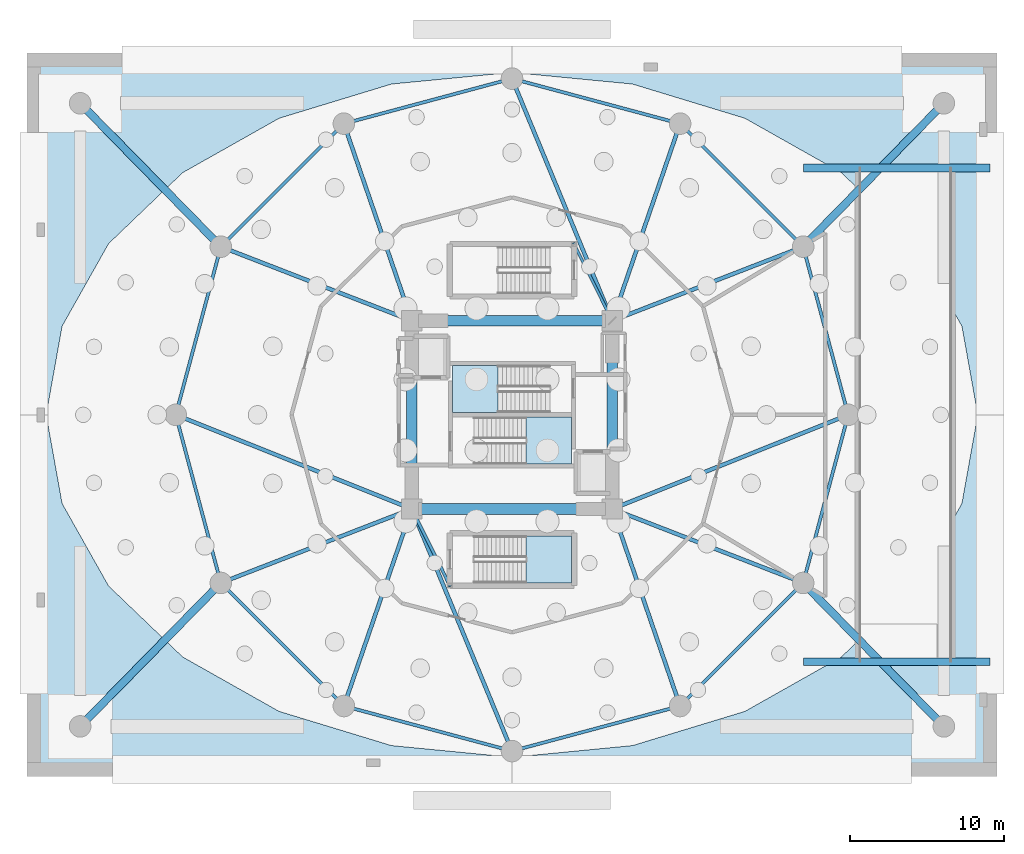
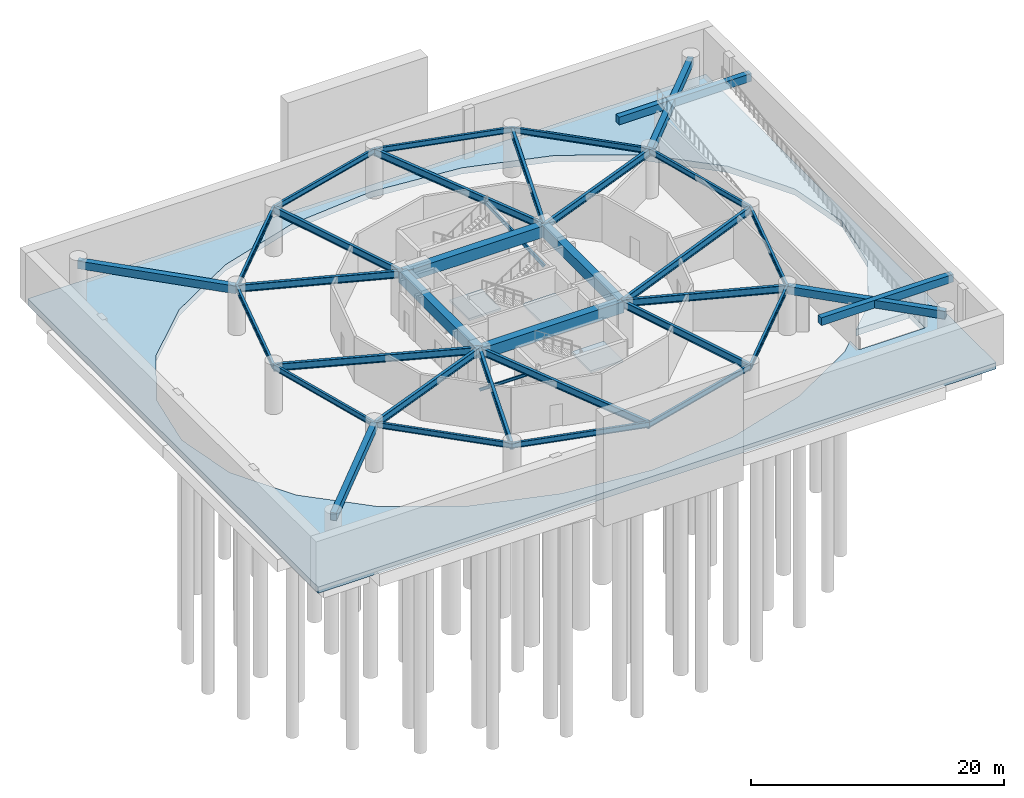
# One storey, part 5 of 12: 34 beams, 4 slabs, 2 members, 3 elements without a shape of their own.
"""IFC4 building model written with IfcOpenShell, lengths in metres."""

from ifc_helpers import new_model, si_unit, direction, frame, origin, origin_2d, place, context, subcontext, project, spatial, polyline, rectangle, hollow_rectangle, i_section, outline, extrude, material, layer, layer_set, material_profile, profile_set, type_object, element, aggregate, save


model = new_model("IFC4")

# Units and contexts
model_context = context("Model", 3, precision=1e-05, world=origin(), true_north=direction((0.0, 1.0)))
body_context = subcontext(model_context, "Body", "Model", "MODEL_VIEW")
ifc_project = project(units=[si_unit("LENGTHUNIT", "METRE"), si_unit("AREAUNIT", "SQUARE_METRE"), si_unit("VOLUMEUNIT", "CUBIC_METRE"), si_unit("PLANEANGLEUNIT", "RADIAN"), si_unit("MASSUNIT", "GRAM", prefix="KILO")], contexts=[model_context])

# Site, building, storey
site_placement = place(None, origin())
site = spatial("IfcSite", under=ifc_project, at=site_placement, CompositionType="ELEMENT")
building_placement = place(site_placement, origin())
building = spatial("IfcBuilding", under=site, at=building_placement, Name="Solvirekh Grand Hotel", CompositionType="ELEMENT")
storey_placement = place(building_placement, frame((0.0, 0.0, -9.60009765625)))
storey = spatial("IfcBuildingStorey", under=building, at=storey_placement, Name="B02", CompositionType="ELEMENT", Elevation=-9.60009765625)

# Beams
ifc_material_1 = material(Name="Concrete C50/60", Category="concrete")
ifc_material_profile_1 = material_profile(ifc_material_1, rectangle(XDim=0.5, YDim=0.75, at=origin_2d()), Name="RC BEAM 500X750")
ifc_profile_set_1 = profile_set([ifc_material_profile_1], Name="Concrete C50/60")
beam_type_1 = type_object("IfcBeamType", Name="Beam_Bsmt_RC750", PredefinedType="BEAM", material=ifc_profile_set_1)
for number, where, z_axis, x_axis, name in (
    (1, (18.89990234375, 16.0, 4.085205078125), (1.0, 0.0, 0.0), (0.0, 1.0, 0.0), "B02 vehicle ramp top landing support beam"),
    (2, (18.89990234375, -16.0, 4.085205078125), (1.0, 0.0, 0.0), (0.0, 1.0, 0.0), "B01 vehicle ramp bottom landing support beam"),
):
    element("IfcBeam", number, at=place(storey_placement, frame(where, z_axis=z_axis, x_axis=x_axis)), inside=storey, type_object=beam_type_1, Name=name, PredefinedType="BEAM", context=body_context, shape_type="SweptSolid", body=[
        extrude(rectangle(XDim=0.5, YDim=0.75, at=origin_2d()), origin(), (0.0, 0.0, 1.0), 12.10009765625),
    ])
for number, where, z_axis, x_axis, name in (
    (3, (-28.0, 20.199951171875, 4.085205078125), (0.70020444152, -0.713942392687, 0.0), (0.713942392687, 0.70020444152, 0.0), "B02 basement corner tie beam BC-NW"),
    (4, (28.0, 20.199951171875, 4.085205078125), (-0.70020444152, -0.713942392687, 0.0), (0.713942392687, -0.70020444152, 0.0), "B02 basement corner tie beam BC-NE"),
    (5, (-28.0, -20.199951171875, 4.085205078125), (0.70020444152, 0.713942392687, 0.0), (-0.713942392687, 0.70020444152, 0.0), "B02 basement corner tie beam BC-SW"),
    (6, (28.0, -20.199951171875, 4.085205078125), (-0.70020444152, 0.713942392687, 0.0), (-0.713942392687, -0.70020444152, 0.0), "B02 basement corner tie beam BC-SE"),
):
    element("IfcBeam", number, at=place(storey_placement, frame(where, z_axis=z_axis, x_axis=x_axis)), inside=storey, type_object=beam_type_1, Name=name, PredefinedType="BEAM", context=body_context, shape_type="SweptSolid", body=[
        extrude(rectangle(XDim=0.5, YDim=0.75, at=origin_2d()), origin(), (0.0, 0.0, 1.0), 13.0263671875),
    ])
ifc_material_2 = material(Name="Concrete C60/75", Category="concrete")
ifc_material_profile_2 = material_profile(ifc_material_2, rectangle(XDim=0.699951171875, YDim=1.10009765625, at=origin_2d()), Name="RC BEAM 700X1100")
ifc_profile_set_2 = profile_set([ifc_material_profile_2], Name="Concrete C60/75")
beam_type_2 = type_object("IfcBeamType", Name="Beam_Core_RC1100", PredefinedType="BEAM", material=ifc_profile_set_2)
beam_1_placement = place(storey_placement, frame((-6.5, -6.10009765625, 3.91015625), z_axis=(1.0, 0.0, 0.0), x_axis=(0.0, 1.0, 0.0)))
element("IfcBeam", 7, at=beam_1_placement, inside=storey, type_object=beam_type_2, Name="B02 core coupling ring beam 1", PredefinedType="BEAM", context=body_context, shape_type="SweptSolid", body=[
    extrude(rectangle(XDim=0.699951171875, YDim=1.10009765625, at=origin_2d()), origin(), (0.0, 0.0, 1.0), 13.0),
])
beam_2_placement = place(storey_placement, frame((6.5, -6.10009765625, 3.91015625), z_axis=(0.0, 1.0, 0.0), x_axis=(-1.0, 0.0, 0.0)))
element("IfcBeam", 8, at=beam_2_placement, inside=storey, type_object=beam_type_2, Name="B02 core coupling ring beam 2", PredefinedType="BEAM", context=body_context, shape_type="SweptSolid", body=[
    extrude(rectangle(XDim=0.699951171875, YDim=1.10009765625, at=origin_2d()), origin(), (0.0, 0.0, 1.0), 12.2001953125),
])
beam_3_placement = place(storey_placement, frame((6.5, 6.10009765625, 3.91015625), z_axis=(-1.0, 0.0, 0.0), x_axis=(0.0, -1.0, 0.0)))
element("IfcBeam", 9, at=beam_3_placement, inside=storey, type_object=beam_type_2, Name="B02 core coupling ring beam 3", PredefinedType="BEAM", context=body_context, shape_type="SweptSolid", body=[
    extrude(rectangle(XDim=0.699951171875, YDim=1.10009765625, at=origin_2d()), origin(), (0.0, 0.0, 1.0), 13.0),
])
beam_4_placement = place(storey_placement, frame((-6.5, 6.10009765625, 3.91015625), z_axis=(0.0, -1.0, 0.0), x_axis=(1.0, 0.0, 0.0)))
element("IfcBeam", 10, at=beam_4_placement, inside=storey, type_object=beam_type_2, Name="B02 core coupling ring beam 4", PredefinedType="BEAM", context=body_context, shape_type="SweptSolid", body=[
    extrude(rectangle(XDim=0.699951171875, YDim=1.10009765625, at=origin_2d()), origin(), (0.0, 0.0, 1.0), 12.2001953125),
])
ifc_material_3 = material(Name="Steel S355", Category="steel")
ifc_material_profile_3 = material_profile(ifc_material_3, i_section(OverallWidth=0.2548828125, OverallDepth=0.695068359375, WebThickness=0.01611328125, FlangeThickness=0.028076171875, FilletRadius=0.01611328125, at=origin_2d()), Name="W690X217")
ifc_profile_set_3 = profile_set([ifc_material_profile_3], Name="Steel S355")
beam_type_3 = type_object("IfcBeamType", Name="Beam_Primary_W690", PredefinedType="BEAM", material=ifc_profile_set_3)
beam_5_placement = place(storey_placement, frame((6.5, -6.10009765625, 4.113037109375), z_axis=(0.9288931718, 0.370347776263, 0.0), x_axis=(-0.370347776263, 0.9288931718, 0.0)))
element("IfcBeam", 11, at=beam_5_placement, inside=storey, type_object=beam_type_3, Name="B02 radial floor beam R01", PredefinedType="BEAM", context=body_context, shape_type="SweptSolid", body=[
    extrude(i_section(OverallWidth=0.2548828125, OverallDepth=0.695068359375, WebThickness=0.01611328125, FlangeThickness=0.028076171875, FilletRadius=0.01611328125, at=origin_2d()), origin(), (0.0, 0.0, 1.0), 16.47119140625),
])
beam_6_placement = place(storey_placement, frame((6.5, 6.10009765625, 4.113037109375), z_axis=(0.932365862704, 0.361516110381, 0.0), x_axis=(-0.361516110381, 0.932365862704, 0.0)))
element("IfcBeam", 12, at=beam_6_placement, inside=storey, type_object=beam_type_3, Name="B02 radial floor beam R02", PredefinedType="BEAM", context=body_context, shape_type="SweptSolid", body=[
    extrude(i_section(OverallWidth=0.2548828125, OverallDepth=0.695068359375, WebThickness=0.01611328125, FlangeThickness=0.028076171875, FilletRadius=0.01611328125, at=origin_2d()), origin(), (0.0, 0.0, 1.0), 13.27685546875),
])
beam_7_placement = place(storey_placement, frame((6.5, 6.10009765625, 4.113037109375), z_axis=(0.325555300394, 0.94552300151, 0.0), x_axis=(-0.94552300151, 0.325555300394, 0.0)))
element("IfcBeam", 13, at=beam_7_placement, inside=storey, type_object=beam_type_3, Name="B02 radial floor beam R03", PredefinedType="BEAM", context=body_context, shape_type="SweptSolid", body=[
    extrude(i_section(OverallWidth=0.2548828125, OverallDepth=0.695068359375, WebThickness=0.01611328125, FlangeThickness=0.028076171875, FilletRadius=0.01611328125, at=origin_2d()), origin(), (0.0, 0.0, 1.0), 13.51513671875),
])
beam_8_placement = place(storey_placement, frame((6.5, 6.10009765625, 4.113037109375), z_axis=(-0.382526065589, 0.923944700264, 0.0), x_axis=(-0.923944700264, -0.382526065589, 0.0)))
element("IfcBeam", 14, at=beam_8_placement, inside=storey, type_object=beam_type_3, Name="B02 radial floor beam R04", PredefinedType="BEAM", context=body_context, shape_type="SweptSolid", body=[
    extrude(i_section(OverallWidth=0.2548828125, OverallDepth=0.695068359375, WebThickness=0.01611328125, FlangeThickness=0.028076171875, FilletRadius=0.01611328125, at=origin_2d()), origin(), (0.0, 0.0, 1.0), 16.9921875),
])
beam_9_placement = place(storey_placement, frame((-6.5, 6.10009765625, 4.113037109375), z_axis=(-0.325555300394, 0.94552300151, 0.0), x_axis=(-0.94552300151, -0.325555300394, 0.0)))
element("IfcBeam", 15, at=beam_9_placement, inside=storey, type_object=beam_type_3, Name="B02 radial floor beam R05", PredefinedType="BEAM", context=body_context, shape_type="SweptSolid", body=[
    extrude(i_section(OverallWidth=0.2548828125, OverallDepth=0.695068359375, WebThickness=0.01611328125, FlangeThickness=0.028076171875, FilletRadius=0.01611328125, at=origin_2d()), origin(), (0.0, 0.0, 1.0), 13.51513671875),
])
beam_10_placement = place(storey_placement, frame((-6.5, 6.10009765625, 4.113037109375), z_axis=(-0.932365862704, 0.361516110381, 0.0), x_axis=(-0.361516110381, -0.932365862704, 0.0)))
element("IfcBeam", 16, at=beam_10_placement, inside=storey, type_object=beam_type_3, Name="B02 radial floor beam R06", PredefinedType="BEAM", context=body_context, shape_type="SweptSolid", body=[
    extrude(i_section(OverallWidth=0.2548828125, OverallDepth=0.695068359375, WebThickness=0.01611328125, FlangeThickness=0.028076171875, FilletRadius=0.01611328125, at=origin_2d()), origin(), (0.0, 0.0, 1.0), 13.27685546875),
])
beam_11_placement = place(storey_placement, frame((-6.5, -6.10009765625, 4.113037109375), z_axis=(-0.9288931718, 0.370347776263, 0.0), x_axis=(-0.370347776263, -0.9288931718, 0.0)))
element("IfcBeam", 17, at=beam_11_placement, inside=storey, type_object=beam_type_3, Name="B02 radial floor beam R07", PredefinedType="BEAM", context=body_context, shape_type="SweptSolid", body=[
    extrude(i_section(OverallWidth=0.2548828125, OverallDepth=0.695068359375, WebThickness=0.01611328125, FlangeThickness=0.028076171875, FilletRadius=0.01611328125, at=origin_2d()), origin(), (0.0, 0.0, 1.0), 16.47119140625),
])
beam_12_placement = place(storey_placement, frame((-6.5, -6.10009765625, 4.113037109375), z_axis=(-0.932365862704, -0.361516110381, 0.0), x_axis=(0.361516110381, -0.932365862704, 0.0)))
element("IfcBeam", 18, at=beam_12_placement, inside=storey, type_object=beam_type_3, Name="B02 radial floor beam R08", PredefinedType="BEAM", context=body_context, shape_type="SweptSolid", body=[
    extrude(i_section(OverallWidth=0.2548828125, OverallDepth=0.695068359375, WebThickness=0.01611328125, FlangeThickness=0.028076171875, FilletRadius=0.01611328125, at=origin_2d()), origin(), (0.0, 0.0, 1.0), 13.27685546875),
])
beam_13_placement = place(storey_placement, frame((-6.5, -6.10009765625, 4.113037109375), z_axis=(-0.325555300394, -0.94552300151, 0.0), x_axis=(0.94552300151, -0.325555300394, 0.0)))
element("IfcBeam", 19, at=beam_13_placement, inside=storey, type_object=beam_type_3, Name="B02 radial floor beam R09", PredefinedType="BEAM", context=body_context, shape_type="SweptSolid", body=[
    extrude(i_section(OverallWidth=0.2548828125, OverallDepth=0.695068359375, WebThickness=0.01611328125, FlangeThickness=0.028076171875, FilletRadius=0.01611328125, at=origin_2d()), origin(), (0.0, 0.0, 1.0), 13.51513671875),
])
beam_14_placement = place(storey_placement, frame((-6.5, -6.10009765625, 4.113037109375), z_axis=(0.382526065589, -0.923944700264, 0.0), x_axis=(0.923944700264, 0.382526065589, 0.0)))
element("IfcBeam", 20, at=beam_14_placement, inside=storey, type_object=beam_type_3, Name="B02 radial floor beam R10", PredefinedType="BEAM", context=body_context, shape_type="SweptSolid", body=[
    extrude(i_section(OverallWidth=0.2548828125, OverallDepth=0.695068359375, WebThickness=0.01611328125, FlangeThickness=0.028076171875, FilletRadius=0.01611328125, at=origin_2d()), origin(), (0.0, 0.0, 1.0), 16.9921875),
])
beam_15_placement = place(storey_placement, frame((6.5, -6.10009765625, 4.113037109375), z_axis=(0.325555300394, -0.94552300151, 0.0), x_axis=(0.94552300151, 0.325555300394, 0.0)))
element("IfcBeam", 21, at=beam_15_placement, inside=storey, type_object=beam_type_3, Name="B02 radial floor beam R11", PredefinedType="BEAM", context=body_context, shape_type="SweptSolid", body=[
    extrude(i_section(OverallWidth=0.2548828125, OverallDepth=0.695068359375, WebThickness=0.01611328125, FlangeThickness=0.028076171875, FilletRadius=0.01611328125, at=origin_2d()), origin(), (0.0, 0.0, 1.0), 13.51513671875),
])
beam_16_placement = place(storey_placement, frame((6.5, -6.10009765625, 4.113037109375), z_axis=(0.932365862704, -0.361516110381, 0.0), x_axis=(0.361516110381, 0.932365862704, 0.0)))
element("IfcBeam", 22, at=beam_16_placement, inside=storey, type_object=beam_type_3, Name="B02 radial floor beam R12", PredefinedType="BEAM", context=body_context, shape_type="SweptSolid", body=[
    extrude(i_section(OverallWidth=0.2548828125, OverallDepth=0.695068359375, WebThickness=0.01611328125, FlangeThickness=0.028076171875, FilletRadius=0.01611328125, at=origin_2d()), origin(), (0.0, 0.0, 1.0), 13.27685546875),
])
ifc_material_profile_4 = material_profile(ifc_material_3, i_section(OverallWidth=0.208984375, OverallDepth=0.532958984375, WebThickness=0.010009765625, FlangeThickness=0.014892578125, FilletRadius=0.013916015625, at=origin_2d()), Name="W530X92")
ifc_profile_set_4 = profile_set([ifc_material_profile_4], Name="Steel S355")
beam_type_4 = type_object("IfcBeamType", Name="Spandrel_Ring_W530", PredefinedType="SPANDREL", material=ifc_profile_set_4)
beam_17_placement = place(storey_placement, frame((21.800048828125, 0.0, 4.194091796875), z_axis=(-0.258862249378, 0.965914248703, 0.0), x_axis=(-0.965914248703, -0.258862249378, 0.0)))
element("IfcBeam", 23, at=beam_17_placement, inside=storey, type_object=beam_type_4, Name="B02 perimeter spandrel beam 1", PredefinedType="SPANDREL", context=body_context, shape_type="SweptSolid", body=[
    extrude(i_section(OverallWidth=0.208984375, OverallDepth=0.532958984375, WebThickness=0.010009765625, FlangeThickness=0.014892578125, FilletRadius=0.013916015625, at=origin_2d()), origin(), (0.0, 0.0, 1.0), 11.284423828125),
])
beam_18_placement = place(storey_placement, frame((18.87890625, 10.89990234375, 4.194091796875), z_axis=(-0.707106781187, 0.707106781187, 0.0), x_axis=(-0.707106781187, -0.707106781187, 0.0)))
element("IfcBeam", 24, at=beam_18_placement, inside=storey, type_object=beam_type_4, Name="B02 perimeter spandrel beam 2", PredefinedType="SPANDREL", context=body_context, shape_type="SweptSolid", body=[
    extrude(i_section(OverallWidth=0.208984375, OverallDepth=0.532958984375, WebThickness=0.010009765625, FlangeThickness=0.014892578125, FilletRadius=0.013916015625, at=origin_2d()), origin(), (0.0, 0.0, 1.0), 11.283935546875),
])
for number, where, z_axis, x_axis, name in (
    (25, (10.89990234375, 18.87890625, 4.194091796875), (-0.965914248703, 0.258862249378, 0.0), (-0.258862249378, -0.965914248703, 0.0), "B02 perimeter spandrel beam 3"),
    (26, (0.0, 21.800048828125, 4.194091796875), (-0.965914248703, -0.258862249378, 0.0), (0.258862249378, -0.965914248703, 0.0), "B02 perimeter spandrel beam 4"),
):
    element("IfcBeam", number, at=place(storey_placement, frame(where, z_axis=z_axis, x_axis=x_axis)), inside=storey, type_object=beam_type_4, Name=name, PredefinedType="SPANDREL", context=body_context, shape_type="SweptSolid", body=[
        extrude(i_section(OverallWidth=0.208984375, OverallDepth=0.532958984375, WebThickness=0.010009765625, FlangeThickness=0.014892578125, FilletRadius=0.013916015625, at=origin_2d()), origin(), (0.0, 0.0, 1.0), 11.284423828125),
    ])
beam_19_placement = place(storey_placement, frame((-10.89990234375, 18.87890625, 4.194091796875), z_axis=(-0.707106781187, -0.707106781187, 0.0), x_axis=(0.707106781187, -0.707106781187, 0.0)))
element("IfcBeam", 27, at=beam_19_placement, inside=storey, type_object=beam_type_4, Name="B02 perimeter spandrel beam 5", PredefinedType="SPANDREL", context=body_context, shape_type="SweptSolid", body=[
    extrude(i_section(OverallWidth=0.208984375, OverallDepth=0.532958984375, WebThickness=0.010009765625, FlangeThickness=0.014892578125, FilletRadius=0.013916015625, at=origin_2d()), origin(), (0.0, 0.0, 1.0), 11.283935546875),
])
for number, where, z_axis, x_axis, name in (
    (28, (-18.87890625, 10.89990234375, 4.194091796875), (-0.258862249378, -0.965914248703, 0.0), (0.965914248703, -0.258862249378, 0.0), "B02 perimeter spandrel beam 6"),
    (29, (-21.800048828125, 0.0, 4.194091796875), (0.258862249378, -0.965914248703, 0.0), (0.965914248703, 0.258862249378, 0.0), "B02 perimeter spandrel beam 7"),
):
    element("IfcBeam", number, at=place(storey_placement, frame(where, z_axis=z_axis, x_axis=x_axis)), inside=storey, type_object=beam_type_4, Name=name, PredefinedType="SPANDREL", context=body_context, shape_type="SweptSolid", body=[
        extrude(i_section(OverallWidth=0.208984375, OverallDepth=0.532958984375, WebThickness=0.010009765625, FlangeThickness=0.014892578125, FilletRadius=0.013916015625, at=origin_2d()), origin(), (0.0, 0.0, 1.0), 11.284423828125),
    ])
beam_20_placement = place(storey_placement, frame((-18.87890625, -10.89990234375, 4.194091796875), z_axis=(0.707106781187, -0.707106781187, 0.0), x_axis=(0.707106781187, 0.707106781187, 0.0)))
element("IfcBeam", 30, at=beam_20_placement, inside=storey, type_object=beam_type_4, Name="B02 perimeter spandrel beam 8", PredefinedType="SPANDREL", context=body_context, shape_type="SweptSolid", body=[
    extrude(i_section(OverallWidth=0.208984375, OverallDepth=0.532958984375, WebThickness=0.010009765625, FlangeThickness=0.014892578125, FilletRadius=0.013916015625, at=origin_2d()), origin(), (0.0, 0.0, 1.0), 11.283935546875),
])
for number, where, z_axis, x_axis, name in (
    (31, (-10.89990234375, -18.87890625, 4.194091796875), (0.965914248703, -0.258862249378, 0.0), (0.258862249378, 0.965914248703, 0.0), "B02 perimeter spandrel beam 9"),
    (32, (0.0, -21.800048828125, 4.194091796875), (0.965914248703, 0.258862249378, 0.0), (-0.258862249378, 0.965914248703, 0.0), "B02 perimeter spandrel beam 10"),
):
    element("IfcBeam", number, at=place(storey_placement, frame(where, z_axis=z_axis, x_axis=x_axis)), inside=storey, type_object=beam_type_4, Name=name, PredefinedType="SPANDREL", context=body_context, shape_type="SweptSolid", body=[
        extrude(i_section(OverallWidth=0.208984375, OverallDepth=0.532958984375, WebThickness=0.010009765625, FlangeThickness=0.014892578125, FilletRadius=0.013916015625, at=origin_2d()), origin(), (0.0, 0.0, 1.0), 11.284423828125),
    ])
beam_21_placement = place(storey_placement, frame((10.89990234375, -18.87890625, 4.194091796875), z_axis=(0.707106781187, 0.707106781187, 0.0), x_axis=(-0.707106781187, 0.707106781187, 0.0)))
element("IfcBeam", 33, at=beam_21_placement, inside=storey, type_object=beam_type_4, Name="B02 perimeter spandrel beam 11", PredefinedType="SPANDREL", context=body_context, shape_type="SweptSolid", body=[
    extrude(i_section(OverallWidth=0.208984375, OverallDepth=0.532958984375, WebThickness=0.010009765625, FlangeThickness=0.014892578125, FilletRadius=0.013916015625, at=origin_2d()), origin(), (0.0, 0.0, 1.0), 11.283935546875),
])
beam_22_placement = place(storey_placement, frame((18.87890625, -10.89990234375, 4.194091796875), z_axis=(0.258862249378, 0.965914248703, 0.0), x_axis=(-0.965914248703, 0.258862249378, 0.0)))
element("IfcBeam", 34, at=beam_22_placement, inside=storey, type_object=beam_type_4, Name="B02 perimeter spandrel beam 12", PredefinedType="SPANDREL", context=body_context, shape_type="SweptSolid", body=[
    extrude(i_section(OverallWidth=0.208984375, OverallDepth=0.532958984375, WebThickness=0.010009765625, FlangeThickness=0.014892578125, FilletRadius=0.013916015625, at=origin_2d()), origin(), (0.0, 0.0, 1.0), 11.284423828125),
])

# Members
ifc_material_profile_5 = material_profile(ifc_material_3, i_section(OverallWidth=0.201904296875, OverallDepth=0.2470703125, WebThickness=0.007080078125, FlangeThickness=0.010986328125, FilletRadius=0.010009765625, at=origin_2d()), Name="W250X49")
ifc_profile_set_5 = profile_set([ifc_material_profile_5], Name="Steel S355")
member_type_1 = type_object("IfcMemberType", Name="Stringer_Feature_W250", PredefinedType="STRINGER", material=ifc_profile_set_5)
member_1_placement = place(storey_placement, frame((-6.5, -6.10009765625, 0.25), z_axis=(0.361510087625, -0.726621725738, 0.584235675246), x_axis=(0.895312965643, 0.445437642719, 0.0)))
element("IfcMember", 35, at=member_1_placement, inside=storey, type_object=member_type_1, Name="B02 podium stair ST-3 steel stringer", PredefinedType="STRINGER", context=body_context, shape_type="SweptSolid", body=[
    extrude(i_section(OverallWidth=0.201904296875, OverallDepth=0.2470703125, WebThickness=0.007080078125, FlangeThickness=0.010986328125, FilletRadius=0.010009765625, at=origin_2d()), origin(), (0.0, 0.0, 1.0), 6.846435546875),
])
ifc_material_profile_6 = material_profile(ifc_material_3, hollow_rectangle(XDim=0.179931640625, YDim=0.300048828125, WallThickness=0.011962890625, at=origin_2d()), Name="RHS 300X180X12")
ifc_profile_set_6 = profile_set([ifc_material_profile_6], Name="Steel S355")
member_type_2 = type_object("IfcMemberType", Name="Stringer_Stair_RHS300", PredefinedType="STRINGER", material=ifc_profile_set_6)
member_2_placement = place(storey_placement, frame((6.5, 6.10009765625, 0.25), z_axis=(-0.361510087625, 0.726621725738, 0.584235675246), x_axis=(-0.895312965643, -0.445437642719, 0.0)))
element("IfcMember", 36, at=member_2_placement, inside=storey, type_object=member_type_2, Name="B02 feature stair ST-4 steel stringer", PredefinedType="STRINGER", context=body_context, shape_type="SweptSolid", body=[
    extrude(hollow_rectangle(XDim=0.179931640625, YDim=0.300048828125, WallThickness=0.011962890625, at=origin_2d()), origin(), (0.0, 0.0, 1.0), 6.846435546875),
])

# Slab
ifc_layer_1 = layer(ifc_material_1, 0.60009765625)
ifc_layer_set_1 = layer_set([ifc_layer_1], Name="Concrete C50/60")
slab_type_1 = type_object("IfcSlabType", Name="BaseSlab_B02_600", PredefinedType="BASESLAB", material=ifc_layer_set_1)
slab_1_placement = place(storey_placement, frame((0.0, 0.0, -0.599853515625)))
element("IfcSlab", 37, at=slab_1_placement, inside=storey, type_object=slab_type_1, Name="B02 outer basement base slab", PredefinedType="BASESLAB", context=body_context, shape_type="SweptSolid", body=[
    extrude(outline(polyline([(-31.0, -23.0), (31.0, -23.0), (31.0, 23.0), (-31.0, 23.0), (-31.0, -23.0)]), holes=[polyline([(21.35498046875, -15.697998046875), (15.10009765625, -19.22607421875), (7.81591796875, -21.444091796875), (0.0, -22.199951171875), (-7.81591796875, -21.444091796875), (-15.10009765625, -19.22607421875), (-21.35498046875, -15.697998046875), (-26.154052734375, -11.10009765625), (-29.1708984375, -5.74609375), (-30.199951171875, 0.0), (-29.1708984375, 5.74609375), (-26.154052734375, 11.10009765625), (-21.35498046875, 15.697998046875), (-15.10009765625, 19.22607421875), (-7.81591796875, 21.444091796875), (0.0, 22.199951171875), (7.81591796875, 21.444091796875), (15.10009765625, 19.22607421875), (21.35498046875, 15.697998046875), (26.154052734375, 11.10009765625), (29.1708984375, 5.74609375), (30.199951171875, 0.0), (29.1708984375, -5.74609375), (26.154052734375, -11.10009765625), (23.649169921875, -13.5), (28.530029296875, -13.5), (28.530029296875, -16.030029296875), (22.469970703125, -16.030029296875), (22.469970703125, -14.629638671875), (21.35498046875, -15.697998046875)])]), origin(), (0.0, 0.0, 1.0), 0.599853515625),
])

# Stair, slab
ifc_material_4 = material(Name="Concrete C40/50", Category="concrete")
stair_type_1 = type_object("IfcStairType", Name="Stair_Pod_1600", PredefinedType="HALF_TURN_STAIR", material=ifc_material_4)
stair_1_placement = place(storey_placement, origin())
stair_1 = element("IfcStair", 38, at=stair_1_placement, inside=storey, type_object=stair_type_1, Name="B02 Enclosed exit stair ST-3", PredefinedType="HALF_TURN_STAIR")
ifc_layer_2 = layer(ifc_material_4, 0.219970703125)
ifc_layer_set_2 = layer_set([ifc_layer_2], Name="Concrete C40/50")
slab_type_2 = type_object("IfcSlabType", Name="Landing_PodStair_220", PredefinedType="LANDING", material=ifc_layer_set_2)
slab_2_placement = place(storey_placement, frame((0.0, 0.0, 2.2001953125)))
slab_2 = element("IfcSlab", 39, at=slab_2_placement, type_object=slab_type_2, Name="ST-3 landing 1", PredefinedType="LANDING", context=body_context, shape_type="SweptSolid", body=[
    extrude(outline(polyline([(0.909912109375, -10.89990234375), (3.85009765625, -10.89990234375), (3.85009765625, -7.85009765625), (0.909912109375, -7.85009765625), (0.909912109375, -10.89990234375)])), origin(), (0.0, 0.0, 1.0), 0.199951171875),
])
aggregate(stair_1, [slab_2])

stair_type_2 = type_object("IfcStairType", Name="Stair_Core_1450", PredefinedType="HALF_TURN_STAIR", material=ifc_material_4)
stair_2_placement = place(storey_placement, origin())
stair_2 = element("IfcStair", 40, at=stair_2_placement, inside=storey, type_object=stair_type_2, Name="B02 Enclosed exit stair ST-1", PredefinedType="HALF_TURN_STAIR")
ifc_layer_3 = layer(ifc_material_4, 0.199951171875)
ifc_layer_set_3 = layer_set([ifc_layer_3], Name="Concrete C40/50")
slab_type_3 = type_object("IfcSlabType", Name="Landing_Stair_200", PredefinedType="LANDING", material=ifc_layer_set_3)
slab_3_placement = place(storey_placement, frame((0.0, 0.0, 2.2001953125)))
slab_3 = element("IfcSlab", 41, at=slab_3_placement, type_object=slab_type_3, Name="ST-1 landing 1", PredefinedType="LANDING", context=body_context, shape_type="SweptSolid", body=[
    extrude(outline(polyline([(0.909912109375, -3.199951171875), (3.85009765625, -3.199951171875), (3.85009765625, -0.14990234375), (0.909912109375, -0.14990234375), (0.909912109375, -3.199951171875)])), origin(), (0.0, 0.0, 1.0), 0.199951171875),
])
aggregate(stair_2, [slab_3])

stair_3_placement = place(storey_placement, origin())
stair_3 = element("IfcStair", 42, at=stair_3_placement, inside=storey, type_object=stair_type_2, Name="B02 Enclosed exit stair ST-2", PredefinedType="HALF_TURN_STAIR")
slab_4_placement = place(storey_placement, frame((0.0, 0.0, 2.2001953125)))
slab_4 = element("IfcSlab", 43, at=slab_4_placement, type_object=slab_type_3, Name="ST-2 landing 1", PredefinedType="LANDING", context=body_context, shape_type="SweptSolid", body=[
    extrude(outline(polyline([(-0.909912109375, 3.199951171875), (-3.85009765625, 3.199951171875), (-3.85009765625, 0.14990234375), (-0.909912109375, 0.14990234375), (-0.909912109375, 3.199951171875)])), origin(), (0.0, 0.0, 1.0), 0.199951171875),
])
aggregate(stair_3, [slab_4])

save(model, "model.ifc")
